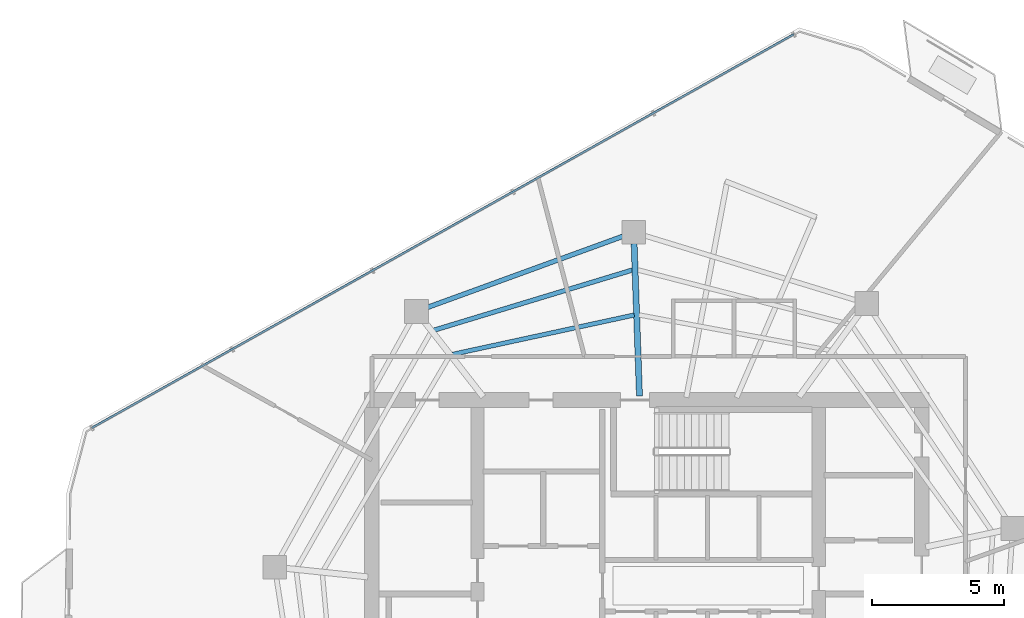
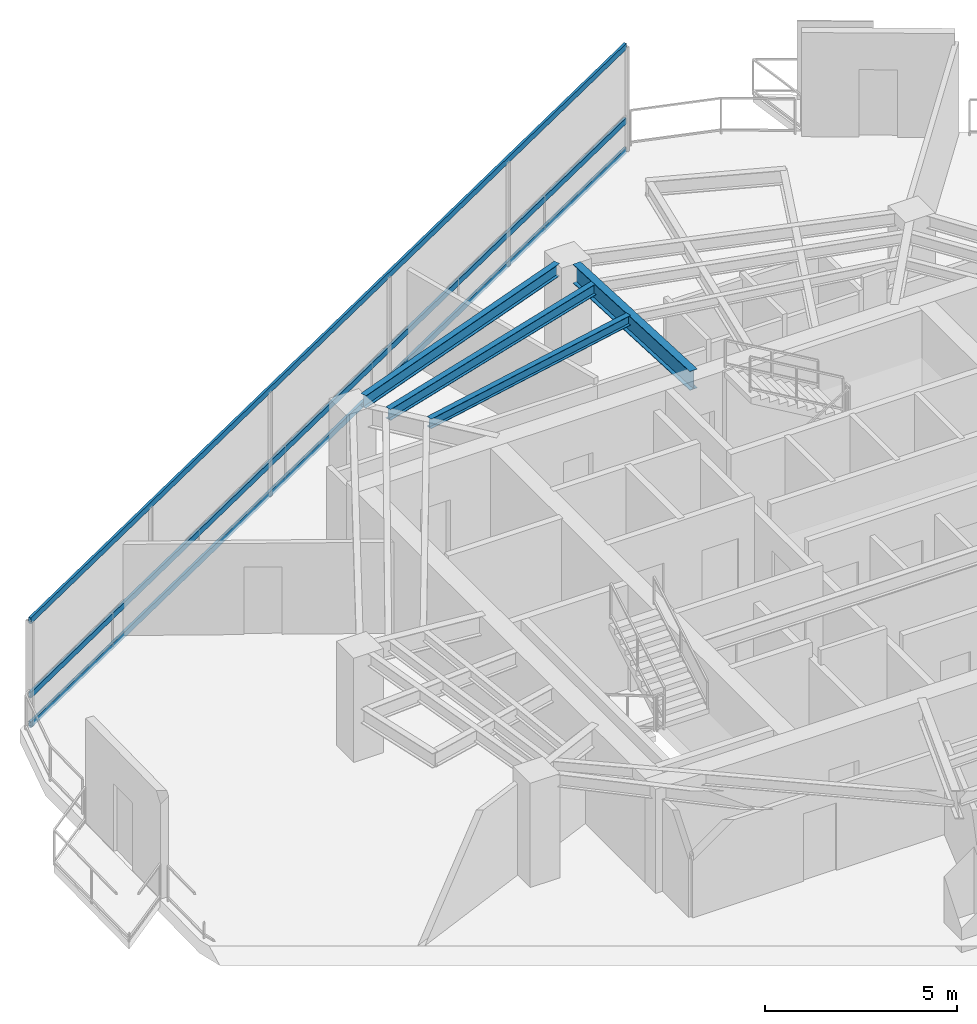
# One storey, part 10 of 18: 4 beams, 3 members, 1 element without a shape of its own.
"""IFC4 building model written with IfcOpenShell, lengths in metres."""

from ifc_helpers import new_model, si_unit, direction, frame, origin, origin_2d, place, context, subcontext, project, spatial, hollow_rectangle, i_section, extrude, material, layer, layer_set, material_profile, profile_set, type_object, element, aggregate, save


model = new_model("IFC4")

# Units and contexts
model_context = context("Model", 3, precision=1e-05, world=origin(), true_north=direction((0.0, 1.0)))
body_context = subcontext(model_context, "Body", "Model", "MODEL_VIEW")
ifc_project = project(units=[si_unit("LENGTHUNIT", "METRE"), si_unit("AREAUNIT", "SQUARE_METRE"), si_unit("VOLUMEUNIT", "CUBIC_METRE"), si_unit("PLANEANGLEUNIT", "RADIAN"), si_unit("MASSUNIT", "GRAM", prefix="KILO")], contexts=[model_context])

# Site, building, storey
site_placement = place(None, origin())
site = spatial("IfcSite", under=ifc_project, at=site_placement, CompositionType="ELEMENT")
building_placement = place(site_placement, origin())
building = spatial("IfcBuilding", under=site, at=building_placement, Name="Qarnah Convention Tower", CompositionType="ELEMENT")
storey_placement = place(building_placement, frame((0.0, 0.0, 177.0)))
storey = spatial("IfcBuildingStorey", under=building, at=storey_placement, Name="L47", CompositionType="ELEMENT", Elevation=177.0)

# Beams
ifc_material_1 = material(Name="Structural steel S355JR", Category="steel")
ifc_material_profile_1 = material_profile(ifc_material_1, i_section(OverallWidth=0.166015625, OverallDepth=0.31201171875, WebThickness=0.007080078125, FlangeThickness=0.010986328125, at=origin_2d()), Name="W310X45")
ifc_profile_set_1 = profile_set([ifc_material_profile_1], Name="Structural steel S355JR")
beam_type_1 = type_object("IfcBeamType", Name="BM-JST-W310", PredefinedType="JOIST", material=ifc_profile_set_1)
beam_1_placement = place(storey_placement, frame((36.72705078125, 37.4150390625, 3.1640625), z_axis=(-0.977325057223, -0.211744498215, 0.0), x_axis=(0.211744498215, -0.977325057223, 0.0)))
element("IfcBeam", 1, at=beam_1_placement, inside=storey, type_object=beam_type_1, Name="L47 joist BM-L47-IJST-03", PredefinedType="JOIST", context=body_context, shape_type="SweptSolid", body=[
    extrude(i_section(OverallWidth=0.166015625, OverallDepth=0.31201171875, WebThickness=0.007080078125, FlangeThickness=0.010986328125, at=origin_2d()), origin(), (0.0, 0.0, 1.0), 7.027587890625),
])
ifc_material_profile_2 = material_profile(ifc_material_1, i_section(OverallWidth=0.172119140625, OverallDepth=0.35595703125, WebThickness=0.007080078125, FlangeThickness=0.011962890625, at=origin_2d()), Name="W360X51")
ifc_profile_set_2 = profile_set([ifc_material_profile_2], Name="Structural steel S355JR")
beam_type_2 = type_object("IfcBeamType", Name="BM-JST-W360", PredefinedType="JOIST", material=ifc_profile_set_2)
beam_2_placement = place(storey_placement, frame((36.6689453125, 39.1201171875, 3.14208984375), z_axis=(-0.956935771125, -0.290299724321, 0.0), x_axis=(0.290299724321, -0.956935771125, 0.0)))
element("IfcBeam", 2, at=beam_2_placement, inside=storey, type_object=beam_type_2, Name="L47 joist BM-L47-SJST-03", PredefinedType="JOIST", context=body_context, shape_type="SweptSolid", body=[
    extrude(i_section(OverallWidth=0.172119140625, OverallDepth=0.35595703125, WebThickness=0.007080078125, FlangeThickness=0.011962890625, at=origin_2d()), origin(), (0.0, 0.0, 1.0), 7.857421875),
])
ifc_material_profile_3 = material_profile(ifc_material_1, i_section(OverallWidth=0.22802734375, OverallDepth=0.60791015625, WebThickness=0.010986328125, FlangeThickness=0.01708984375, at=origin_2d()), Name="W610X113")
ifc_profile_set_3 = profile_set([ifc_material_profile_3], Name="Structural steel S355JR")
beam_type_3 = type_object("IfcBeamType", Name="BM-RAD-W610B", PredefinedType="BEAM", material=ifc_profile_set_3)
beam_3_placement = place(storey_placement, frame((36.923095703125, 34.35009765625, 3.01611328125), z_axis=(-0.035067624348, 0.999384941713, 0.0), x_axis=(-0.999384941713, -0.035067624348, 0.0)))
element("IfcBeam", 3, at=beam_3_placement, inside=storey, type_object=beam_type_3, Name="L47 beam BM-L47-RAD-03", PredefinedType="BEAM", context=body_context, shape_type="SweptSolid", body=[
    extrude(i_section(OverallWidth=0.22802734375, OverallDepth=0.60791015625, WebThickness=0.010986328125, FlangeThickness=0.01708984375, at=origin_2d()), origin(), (0.0, 0.0, 1.0), 5.7646484375),
])
ifc_material_profile_4 = material_profile(ifc_material_1, i_section(OverallWidth=0.179931640625, OverallDepth=0.39990234375, WebThickness=0.009033203125, FlangeThickness=0.013916015625, at=origin_2d()), Name="IPE400")
ifc_profile_set_4 = profile_set([ifc_material_profile_4], Name="Structural steel S355JR")
beam_type_4 = type_object("IfcBeamType", Name="BM-SPN-IPE400", PredefinedType="SPANDREL", material=ifc_profile_set_4)
beam_4_placement = place(storey_placement, frame((36.29296875, 40.39111328125, 3.1201171875), z_axis=(-0.939665594936, -0.342094387112, 0.0), x_axis=(0.342094387112, -0.939665594936, 0.0)))
element("IfcBeam", 4, at=beam_4_placement, inside=storey, type_object=beam_type_4, Name="L47 spandrel BM-L47-SPN-03", PredefinedType="SPANDREL", context=body_context, shape_type="SweptSolid", body=[
    extrude(i_section(OverallWidth=0.179931640625, OverallDepth=0.39990234375, WebThickness=0.009033203125, FlangeThickness=0.013916015625, at=origin_2d()), origin(), (0.0, 0.0, 1.0), 7.86669921875),
])

# Curtain wall, members
ifc_material_2 = material(Name="Tempered Low-E dark glass", Category="glass")
ifc_layer = layer(ifc_material_2, 0.174072265625)
ifc_layer_set = layer_set([ifc_layer], Name="Tempered Low-E dark glass")
curtain_wall_type = type_object("IfcCurtainWallType", Name="CWS-04", PredefinedType="NOTDEFINED", material=ifc_layer_set)
curtain_wall_placement = place(storey_placement, origin())
curtain_wall = element("IfcCurtainWall", 5, at=curtain_wall_placement, inside=storey, type_object=curtain_wall_type, Name="L47 unitised curtain wall CW-L47-F2", PredefinedType="NOTDEFINED")
ifc_material_3 = material(Name="Black anodised aluminium", Category="aluminium")
ifc_material_profile_5 = material_profile(ifc_material_3, hollow_rectangle(XDim=0.074951171875, YDim=0.18994140625, WallThickness=0.0048828125, at=origin_2d()), Name="TRN-75X190")
ifc_profile_set_5 = profile_set([ifc_material_profile_5], Name="Black anodised aluminium")
member_type = type_object("IfcMemberType", Name="TRN-T4", PredefinedType="USERDEFINED", material=ifc_profile_set_5)
member_1_placement = place(storey_placement, frame((16.214111328125, 33.14501953125, 0.0), z_axis=(0.872233781532, 0.489089184459, 0.0), x_axis=(-0.489089184459, 0.872233781532, 0.0)))
member_1 = element("IfcMember", 6, at=member_1_placement, type_object=member_type, Name="CW-L47-F2 transom 1", ObjectType="TRANSOM", PredefinedType="USERDEFINED", context=body_context, shape_type="SweptSolid", body=[
    extrude(hollow_rectangle(XDim=0.074951171875, YDim=0.18994140625, WallThickness=0.0048828125, at=origin_2d()), origin(), (0.0, 0.0, 1.0), 30.43212890625),
])
member_2_placement = place(storey_placement, frame((16.214111328125, 33.14501953125, 0.949951171875), z_axis=(0.872233781532, 0.489089184459, 0.0), x_axis=(-0.489089184459, 0.872233781532, 0.0)))
member_2 = element("IfcMember", 7, at=member_2_placement, type_object=member_type, Name="CW-L47-F2 transom 2", ObjectType="TRANSOM", PredefinedType="USERDEFINED", context=body_context, shape_type="SweptSolid", body=[
    extrude(hollow_rectangle(XDim=0.074951171875, YDim=0.18994140625, WallThickness=0.0048828125, at=origin_2d()), origin(), (0.0, 0.0, 1.0), 30.43212890625),
])
member_3_placement = place(storey_placement, frame((16.214111328125, 33.14501953125, 3.320068359375), z_axis=(0.872233781532, 0.489089184459, 0.0), x_axis=(-0.489089184459, 0.872233781532, 0.0)))
member_3 = element("IfcMember", 8, at=member_3_placement, type_object=member_type, Name="CW-L47-F2 transom 3", ObjectType="TRANSOM", PredefinedType="USERDEFINED", context=body_context, shape_type="SweptSolid", body=[
    extrude(hollow_rectangle(XDim=0.074951171875, YDim=0.18994140625, WallThickness=0.0048828125, at=origin_2d()), origin(), (0.0, 0.0, 1.0), 30.43212890625),
])
aggregate(curtain_wall, [member_1, member_2, member_3])

save(model, "model.ifc")
